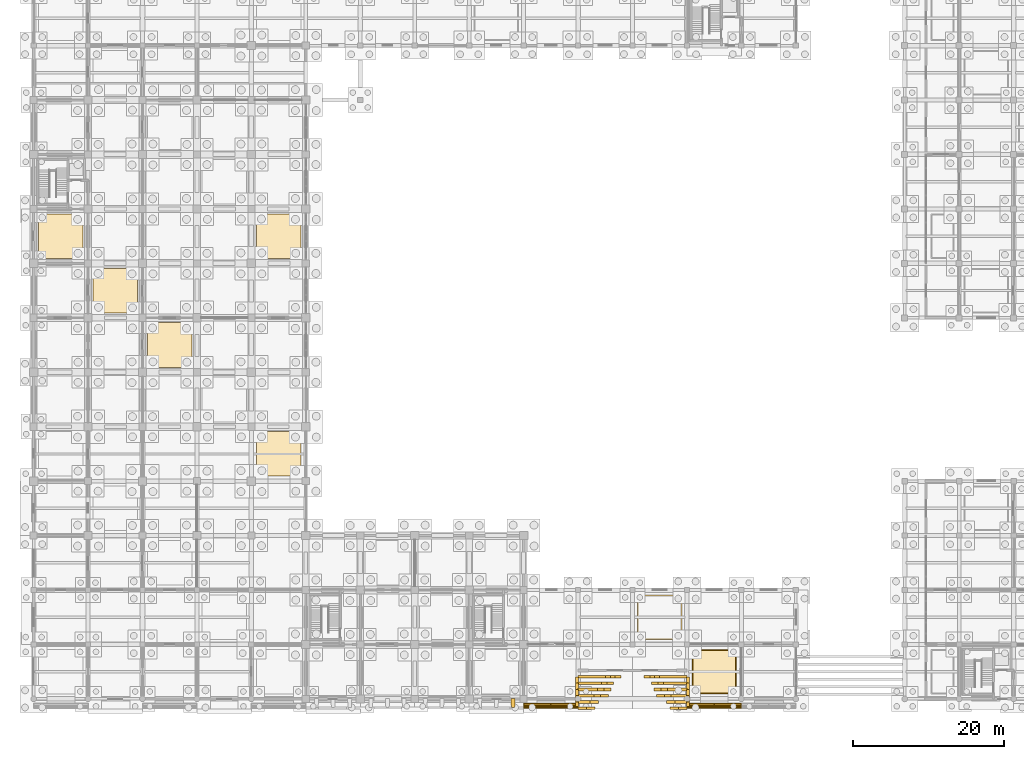
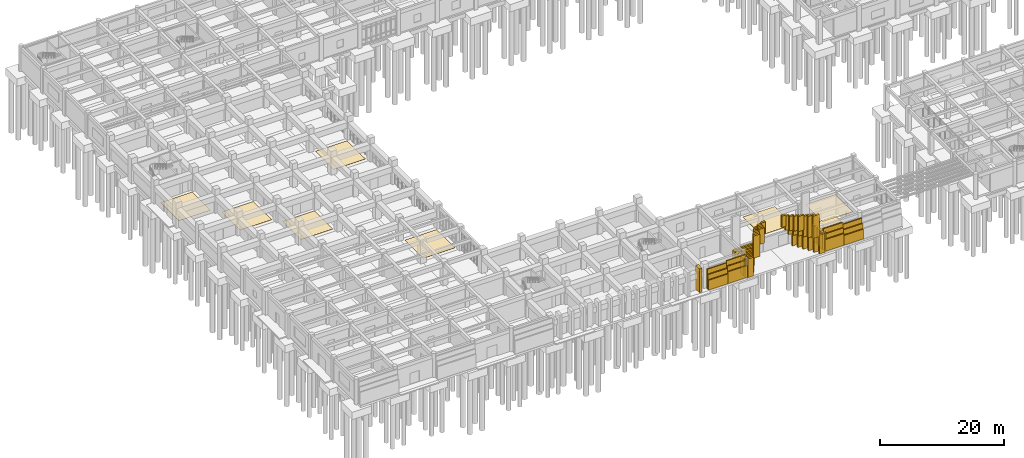
# One storey, part 72 of 79: 65 coverings.
"""IFC4 building model written with IfcOpenShell, lengths in metres."""

from ifc_helpers import new_model, si_unit, direction, frame, origin, place, context, subcontext, project, spatial, polyline, outline, extrude, material, layer, layer_set, type_object, element, save


model = new_model("IFC4")

# Units and contexts
model_context = context("Model", 3, precision=1e-05, world=origin(), true_north=direction((0.0, 1.0)))
body_context = subcontext(model_context, "Body", "Model", "MODEL_VIEW")
ifc_project = project(units=[si_unit("LENGTHUNIT", "METRE"), si_unit("AREAUNIT", "SQUARE_METRE"), si_unit("VOLUMEUNIT", "CUBIC_METRE"), si_unit("PLANEANGLEUNIT", "RADIAN"), si_unit("MASSUNIT", "GRAM", prefix="KILO")], contexts=[model_context])

# Site, building, storey
site_placement = place(None, origin())
site = spatial("IfcSite", under=ifc_project, at=site_placement, CompositionType="ELEMENT")
building_placement = place(site_placement, origin())
building = spatial("IfcBuilding", under=site, at=building_placement, Name="Kavelor Marine Aquarium", CompositionType="ELEMENT")
storey_placement = place(building_placement, origin())
storey = spatial("IfcBuildingStorey", under=building, at=storey_placement, Name="L00", CompositionType="ELEMENT", Elevation=0.0)

# Coverings
ifc_material_1 = material(Name="Concrete C45/55", Category="concrete")
ifc_layer_1 = layer(ifc_material_1, 0.300048828125)
ifc_layer_set_1 = layer_set([ifc_layer_1], Name="COV-BND1")
covering_type_1 = type_object("IfcCoveringType", Name="COV-BND1", PredefinedType="CLADDING", material=ifc_layer_set_1)
covering_1_placement = place(storey_placement, origin())
element("IfcCovering", 1, at=covering_1_placement, inside=storey, type_object=covering_type_1, Name="band:south:1:l:00", PredefinedType="CLADDING", context=body_context, shape_type="SweptSolid", body=[
    extrude(outline(polyline([(68.0, 1.56005859375), (71.60009765625, 1.56005859375), (71.60009765625, 1.780029296875), (68.0, 1.780029296875), (68.0, 1.56005859375)])), origin(), (0.0, 0.0, 1.0), 1.927490234375),
])
covering_2_placement = place(storey_placement, origin())
element("IfcCovering", 2, at=covering_2_placement, inside=storey, type_object=covering_type_1, Name="band:south:1:l:01", PredefinedType="CLADDING", context=body_context, shape_type="SweptSolid", body=[
    extrude(outline(polyline([(71.60009765625, 1.56005859375), (75.199951171875, 1.56005859375), (75.199951171875, 1.780029296875), (71.60009765625, 1.780029296875), (71.60009765625, 1.56005859375)])), origin(), (0.0, 0.0, 1.0), 2.32080078125),
])
covering_3_placement = place(storey_placement, origin())
element("IfcCovering", 3, at=covering_3_placement, inside=storey, type_object=covering_type_1, Name="band:south:1:r:00", PredefinedType="CLADDING", context=body_context, shape_type="SweptSolid", body=[
    extrude(outline(polyline([(89.60009765625, 1.56005859375), (93.199951171875, 1.56005859375), (93.199951171875, 1.780029296875), (89.60009765625, 1.780029296875), (89.60009765625, 1.56005859375)])), origin(), (0.0, 0.0, 1.0), 2.32080078125),
])
covering_4_placement = place(storey_placement, origin())
element("IfcCovering", 4, at=covering_4_placement, inside=storey, type_object=covering_type_1, Name="band:south:1:r:01", PredefinedType="CLADDING", context=body_context, shape_type="SweptSolid", body=[
    extrude(outline(polyline([(93.199951171875, 1.56005859375), (96.800048828125, 1.56005859375), (96.800048828125, 1.780029296875), (93.199951171875, 1.780029296875), (93.199951171875, 1.56005859375)])), origin(), (0.0, 0.0, 1.0), 1.927490234375),
])
covering_5_placement = place(storey_placement, origin())
element("IfcCovering", 5, at=covering_5_placement, inside=storey, type_object=covering_type_1, Name="arch:south:1:pier:l", PredefinedType="CLADDING", context=body_context, shape_type="SweptSolid", body=[
    extrude(outline(polyline([(75.199951171875, 1.389892578125), (76.300048828125, 1.389892578125), (76.300048828125, 1.72998046875), (75.199951171875, 1.72998046875), (75.199951171875, 1.389892578125)])), origin(), (0.0, 0.0, 1.0), 3.699951171875),
])
covering_6_placement = place(storey_placement, origin())
element("IfcCovering", 6, at=covering_6_placement, inside=storey, type_object=covering_type_1, Name="arch:south:1:pier:r", PredefinedType="CLADDING", context=body_context, shape_type="SweptSolid", body=[
    extrude(outline(polyline([(88.5, 1.389892578125), (89.60009765625, 1.389892578125), (89.60009765625, 1.72998046875), (88.5, 1.72998046875), (88.5, 1.389892578125)])), origin(), (0.0, 0.0, 1.0), 3.699951171875),
])
covering_7_placement = place(storey_placement, frame((0.0, 0.0, 3.4697265625)))
element("IfcCovering", 7, at=covering_7_placement, inside=storey, type_object=covering_type_1, Name="arch:south:1:seg:00", PredefinedType="CLADDING", context=body_context, shape_type="SweptSolid", body=[
    extrude(outline(polyline([(76.239990234375, 1.389892578125), (77.468994140625, 1.389892578125), (77.468994140625, 1.72998046875), (76.239990234375, 1.72998046875), (76.239990234375, 1.389892578125)])), origin(), (0.0, 0.0, 1.0), 4.35986328125),
])
covering_8_placement = place(storey_placement, frame((0.0, 0.0, 3.4697265625)))
element("IfcCovering", 8, at=covering_8_placement, inside=storey, type_object=covering_type_1, Name="arch:south:1:seg:10", PredefinedType="CLADDING", context=body_context, shape_type="SweptSolid", body=[
    extrude(outline(polyline([(87.330810546875, 1.389892578125), (88.56005859375, 1.389892578125), (88.56005859375, 1.72998046875), (87.330810546875, 1.72998046875), (87.330810546875, 1.389892578125)])), origin(), (0.0, 0.0, 1.0), 4.35986328125),
])
ifc_material_2 = material(Name="Concrete C45/55", Category="concrete")
ifc_layer_2 = layer(ifc_material_2, 0.320068359375)
ifc_layer_set_2 = layer_set([ifc_layer_2], Name="COV-BND2")
covering_type_2 = type_object("IfcCoveringType", Name="COV-BND2", PredefinedType="CLADDING", material=ifc_layer_set_2)
covering_9_placement = place(storey_placement, origin())
element("IfcCovering", 9, at=covering_9_placement, inside=storey, type_object=covering_type_2, Name="band:south:2:l:00", PredefinedType="CLADDING", context=body_context, shape_type="SweptSolid", body=[
    extrude(outline(polyline([(68.0, 1.77001953125), (71.60009765625, 1.77001953125), (71.60009765625, 1.989990234375), (68.0, 1.989990234375), (68.0, 1.77001953125)])), origin(), (0.0, 0.0, 1.0), 2.8876953125),
])
covering_10_placement = place(storey_placement, origin())
element("IfcCovering", 10, at=covering_10_placement, inside=storey, type_object=covering_type_2, Name="band:south:2:l:01", PredefinedType="CLADDING", context=body_context, shape_type="SweptSolid", body=[
    extrude(outline(polyline([(71.60009765625, 1.77001953125), (75.199951171875, 1.77001953125), (75.199951171875, 1.989990234375), (71.60009765625, 1.989990234375), (71.60009765625, 1.77001953125)])), origin(), (0.0, 0.0, 1.0), 3.28076171875),
])
covering_11_placement = place(storey_placement, origin())
element("IfcCovering", 11, at=covering_11_placement, inside=storey, type_object=covering_type_2, Name="band:south:2:r:00", PredefinedType="CLADDING", context=body_context, shape_type="SweptSolid", body=[
    extrude(outline(polyline([(89.60009765625, 1.77001953125), (93.199951171875, 1.77001953125), (93.199951171875, 1.989990234375), (89.60009765625, 1.989990234375), (89.60009765625, 1.77001953125)])), origin(), (0.0, 0.0, 1.0), 3.28076171875),
])
covering_12_placement = place(storey_placement, origin())
element("IfcCovering", 12, at=covering_12_placement, inside=storey, type_object=covering_type_2, Name="band:south:2:r:01", PredefinedType="CLADDING", context=body_context, shape_type="SweptSolid", body=[
    extrude(outline(polyline([(93.199951171875, 1.77001953125), (96.800048828125, 1.77001953125), (96.800048828125, 1.989990234375), (93.199951171875, 1.989990234375), (93.199951171875, 1.77001953125)])), origin(), (0.0, 0.0, 1.0), 2.8876953125),
])
covering_13_placement = place(storey_placement, origin())
element("IfcCovering", 13, at=covering_13_placement, inside=storey, type_object=covering_type_2, Name="band:south:2:ret:l", PredefinedType="CLADDING", context=body_context, shape_type="SweptSolid", body=[
    extrude(outline(polyline([(74.860107421875, 1.77001953125), (75.239990234375, 1.77001953125), (75.239990234375, 2.389892578125), (74.860107421875, 2.389892578125), (74.860107421875, 1.77001953125)])), origin(), (0.0, 0.0, 1.0), 3.56005859375),
])
covering_14_placement = place(storey_placement, origin())
element("IfcCovering", 14, at=covering_14_placement, inside=storey, type_object=covering_type_2, Name="band:south:2:ret:r", PredefinedType="CLADDING", context=body_context, shape_type="SweptSolid", body=[
    extrude(outline(polyline([(89.56005859375, 1.77001953125), (89.93994140625, 1.77001953125), (89.93994140625, 2.389892578125), (89.56005859375, 2.389892578125), (89.56005859375, 1.77001953125)])), origin(), (0.0, 0.0, 1.0), 3.56005859375),
])
covering_15_placement = place(storey_placement, origin())
element("IfcCovering", 15, at=covering_15_placement, inside=storey, type_object=covering_type_2, Name="arch:south:2:pier:l", PredefinedType="CLADDING", context=body_context, shape_type="SweptSolid", body=[
    extrude(outline(polyline([(75.199951171875, 2.219970703125), (76.820068359375, 2.219970703125), (76.820068359375, 2.56005859375), (75.199951171875, 2.56005859375), (75.199951171875, 2.219970703125)])), origin(), (0.0, 0.0, 1.0), 3.56005859375),
])
covering_16_placement = place(storey_placement, origin())
element("IfcCovering", 16, at=covering_16_placement, inside=storey, type_object=covering_type_2, Name="arch:south:2:pier:r", PredefinedType="CLADDING", context=body_context, shape_type="SweptSolid", body=[
    extrude(outline(polyline([(87.97998046875, 2.219970703125), (89.60009765625, 2.219970703125), (89.60009765625, 2.56005859375), (87.97998046875, 2.56005859375), (87.97998046875, 2.219970703125)])), origin(), (0.0, 0.0, 1.0), 3.56005859375),
])
covering_17_placement = place(storey_placement, frame((0.0, 0.0, 3.267333984375)))
element("IfcCovering", 17, at=covering_17_placement, inside=storey, type_object=covering_type_2, Name="arch:south:2:seg:00", PredefinedType="CLADDING", context=body_context, shape_type="SweptSolid", body=[
    extrude(outline(polyline([(76.760009765625, 2.219970703125), (77.89453125, 2.219970703125), (77.89453125, 2.56005859375), (76.760009765625, 2.56005859375), (76.760009765625, 2.219970703125)])), origin(), (0.0, 0.0, 1.0), 4.182373046875),
])
covering_18_placement = place(storey_placement, frame((0.0, 0.0, 3.267333984375)))
element("IfcCovering", 18, at=covering_18_placement, inside=storey, type_object=covering_type_2, Name="arch:south:2:seg:10", PredefinedType="CLADDING", context=body_context, shape_type="SweptSolid", body=[
    extrude(outline(polyline([(86.905517578125, 2.219970703125), (88.0400390625, 2.219970703125), (88.0400390625, 2.56005859375), (86.905517578125, 2.56005859375), (86.905517578125, 2.219970703125)])), origin(), (0.0, 0.0, 1.0), 4.182373046875),
])
ifc_material_3 = material(Name="Concrete C45/55", Category="concrete")
ifc_layer_3 = layer(ifc_material_3, 0.340087890625)
ifc_layer_set_3 = layer_set([ifc_layer_3], Name="COV-BND3")
covering_type_3 = type_object("IfcCoveringType", Name="COV-BND3", PredefinedType="CLADDING", material=ifc_layer_set_3)
covering_19_placement = place(storey_placement, origin())
element("IfcCovering", 19, at=covering_19_placement, inside=storey, type_object=covering_type_3, Name="band:south:3:l:00", PredefinedType="CLADDING", context=body_context, shape_type="SweptSolid", body=[
    extrude(outline(polyline([(68.0, 1.97998046875), (71.60009765625, 1.97998046875), (71.60009765625, 2.199951171875), (68.0, 2.199951171875), (68.0, 1.97998046875)])), origin(), (0.0, 0.0, 1.0), 3.84765625),
])
covering_20_placement = place(storey_placement, origin())
element("IfcCovering", 20, at=covering_20_placement, inside=storey, type_object=covering_type_3, Name="band:south:3:l:01", PredefinedType="CLADDING", context=body_context, shape_type="SweptSolid", body=[
    extrude(outline(polyline([(71.60009765625, 1.97998046875), (75.199951171875, 1.97998046875), (75.199951171875, 2.199951171875), (71.60009765625, 2.199951171875), (71.60009765625, 1.97998046875)])), origin(), (0.0, 0.0, 1.0), 4.24072265625),
])
covering_21_placement = place(storey_placement, origin())
element("IfcCovering", 21, at=covering_21_placement, inside=storey, type_object=covering_type_3, Name="band:south:3:r:00", PredefinedType="CLADDING", context=body_context, shape_type="SweptSolid", body=[
    extrude(outline(polyline([(89.60009765625, 1.97998046875), (93.199951171875, 1.97998046875), (93.199951171875, 2.199951171875), (89.60009765625, 2.199951171875), (89.60009765625, 1.97998046875)])), origin(), (0.0, 0.0, 1.0), 4.24072265625),
])
covering_22_placement = place(storey_placement, origin())
element("IfcCovering", 22, at=covering_22_placement, inside=storey, type_object=covering_type_3, Name="band:south:3:r:01", PredefinedType="CLADDING", context=body_context, shape_type="SweptSolid", body=[
    extrude(outline(polyline([(93.199951171875, 1.97998046875), (96.800048828125, 1.97998046875), (96.800048828125, 2.199951171875), (93.199951171875, 2.199951171875), (93.199951171875, 1.97998046875)])), origin(), (0.0, 0.0, 1.0), 3.84765625),
])
covering_23_placement = place(storey_placement, origin())
element("IfcCovering", 23, at=covering_23_placement, inside=storey, type_object=covering_type_3, Name="band:south:3:ret:l", PredefinedType="CLADDING", context=body_context, shape_type="SweptSolid", body=[
    extrude(outline(polyline([(74.860107421875, 1.97998046875), (75.239990234375, 1.97998046875), (75.239990234375, 3.219970703125), (74.860107421875, 3.219970703125), (74.860107421875, 1.97998046875)])), origin(), (0.0, 0.0, 1.0), 3.419921875),
])
covering_24_placement = place(storey_placement, origin())
element("IfcCovering", 24, at=covering_24_placement, inside=storey, type_object=covering_type_3, Name="band:south:3:ret:r", PredefinedType="CLADDING", context=body_context, shape_type="SweptSolid", body=[
    extrude(outline(polyline([(89.56005859375, 1.97998046875), (89.93994140625, 1.97998046875), (89.93994140625, 3.219970703125), (89.56005859375, 3.219970703125), (89.56005859375, 1.97998046875)])), origin(), (0.0, 0.0, 1.0), 3.419921875),
])
covering_25_placement = place(storey_placement, origin())
element("IfcCovering", 25, at=covering_25_placement, inside=storey, type_object=covering_type_3, Name="arch:south:3:pier:l", PredefinedType="CLADDING", context=body_context, shape_type="SweptSolid", body=[
    extrude(outline(polyline([(75.199951171875, 3.050048828125), (77.340087890625, 3.050048828125), (77.340087890625, 3.389892578125), (75.199951171875, 3.389892578125), (75.199951171875, 3.050048828125)])), origin(), (0.0, 0.0, 1.0), 3.419921875),
])
covering_26_placement = place(storey_placement, origin())
element("IfcCovering", 26, at=covering_26_placement, inside=storey, type_object=covering_type_3, Name="arch:south:3:pier:r", PredefinedType="CLADDING", context=body_context, shape_type="SweptSolid", body=[
    extrude(outline(polyline([(87.4599609375, 3.050048828125), (89.60009765625, 3.050048828125), (89.60009765625, 3.389892578125), (87.4599609375, 3.389892578125), (87.4599609375, 3.050048828125)])), origin(), (0.0, 0.0, 1.0), 3.419921875),
])
covering_27_placement = place(storey_placement, frame((0.0, 0.0, 3.06494140625)))
element("IfcCovering", 27, at=covering_27_placement, inside=storey, type_object=covering_type_3, Name="arch:south:3:seg:00", PredefinedType="CLADDING", context=body_context, shape_type="SweptSolid", body=[
    extrude(outline(polyline([(77.280029296875, 3.050048828125), (78.320068359375, 3.050048828125), (78.320068359375, 3.389892578125), (77.280029296875, 3.389892578125), (77.280029296875, 3.050048828125)])), origin(), (0.0, 0.0, 1.0), 4.004638671875),
])
covering_28_placement = place(storey_placement, frame((0.0, 0.0, 4.427490234375)))
element("IfcCovering", 28, at=covering_28_placement, inside=storey, type_object=covering_type_3, Name="arch:south:3:seg:01", PredefinedType="CLADDING", context=body_context, shape_type="SweptSolid", body=[
    extrude(outline(polyline([(78.199951171875, 3.050048828125), (79.239990234375, 3.050048828125), (79.239990234375, 3.389892578125), (78.199951171875, 3.389892578125), (78.199951171875, 3.050048828125)])), origin(), (0.0, 0.0, 1.0), 2.984130859375),
])
covering_29_placement = place(storey_placement, frame((0.0, 0.0, 4.427490234375)))
element("IfcCovering", 29, at=covering_29_placement, inside=storey, type_object=covering_type_3, Name="arch:south:3:seg:09", PredefinedType="CLADDING", context=body_context, shape_type="SweptSolid", body=[
    extrude(outline(polyline([(85.56005859375, 3.050048828125), (86.60009765625, 3.050048828125), (86.60009765625, 3.389892578125), (85.56005859375, 3.389892578125), (85.56005859375, 3.050048828125)])), origin(), (0.0, 0.0, 1.0), 2.984130859375),
])
covering_30_placement = place(storey_placement, frame((0.0, 0.0, 3.06494140625)))
element("IfcCovering", 30, at=covering_30_placement, inside=storey, type_object=covering_type_3, Name="arch:south:3:seg:10", PredefinedType="CLADDING", context=body_context, shape_type="SweptSolid", body=[
    extrude(outline(polyline([(86.47998046875, 3.050048828125), (87.52001953125, 3.050048828125), (87.52001953125, 3.389892578125), (86.47998046875, 3.389892578125), (86.47998046875, 3.050048828125)])), origin(), (0.0, 0.0, 1.0), 4.004638671875),
])
ifc_material_4 = material(Name="Concrete C45/55", Category="concrete")
ifc_layer_4 = layer(ifc_material_4, 0.360107421875)
ifc_layer_set_4 = layer_set([ifc_layer_4], Name="COV-BND4")
covering_type_4 = type_object("IfcCoveringType", Name="COV-BND4", PredefinedType="CLADDING", material=ifc_layer_set_4)
covering_31_placement = place(storey_placement, origin())
element("IfcCovering", 31, at=covering_31_placement, inside=storey, type_object=covering_type_4, Name="band:south:4:ret:l", PredefinedType="CLADDING", context=body_context, shape_type="SweptSolid", body=[
    extrude(outline(polyline([(74.860107421875, 2.18994140625), (75.239990234375, 2.18994140625), (75.239990234375, 4.050048828125), (74.860107421875, 4.050048828125), (74.860107421875, 2.18994140625)])), origin(), (0.0, 0.0, 1.0), 3.280029296875),
])
covering_32_placement = place(storey_placement, origin())
element("IfcCovering", 32, at=covering_32_placement, inside=storey, type_object=covering_type_4, Name="band:south:4:ret:r", PredefinedType="CLADDING", context=body_context, shape_type="SweptSolid", body=[
    extrude(outline(polyline([(89.56005859375, 2.18994140625), (89.93994140625, 2.18994140625), (89.93994140625, 4.050048828125), (89.56005859375, 4.050048828125), (89.56005859375, 2.18994140625)])), origin(), (0.0, 0.0, 1.0), 3.280029296875),
])
covering_33_placement = place(storey_placement, origin())
element("IfcCovering", 33, at=covering_33_placement, inside=storey, type_object=covering_type_4, Name="arch:south:4:pier:l", PredefinedType="CLADDING", context=body_context, shape_type="SweptSolid", body=[
    extrude(outline(polyline([(75.199951171875, 3.8798828125), (77.860107421875, 3.8798828125), (77.860107421875, 4.219970703125), (75.199951171875, 4.219970703125), (75.199951171875, 3.8798828125)])), origin(), (0.0, 0.0, 1.0), 3.280029296875),
])
covering_34_placement = place(storey_placement, origin())
element("IfcCovering", 34, at=covering_34_placement, inside=storey, type_object=covering_type_4, Name="arch:south:4:pier:r", PredefinedType="CLADDING", context=body_context, shape_type="SweptSolid", body=[
    extrude(outline(polyline([(86.93994140625, 3.8798828125), (89.60009765625, 3.8798828125), (89.60009765625, 4.219970703125), (86.93994140625, 4.219970703125), (86.93994140625, 3.8798828125)])), origin(), (0.0, 0.0, 1.0), 3.280029296875),
])
covering_35_placement = place(storey_placement, frame((0.0, 0.0, 2.8623046875)))
element("IfcCovering", 35, at=covering_35_placement, inside=storey, type_object=covering_type_4, Name="arch:south:4:seg:00", PredefinedType="CLADDING", context=body_context, shape_type="SweptSolid", body=[
    extrude(outline(polyline([(77.800048828125, 3.8798828125), (78.74560546875, 3.8798828125), (78.74560546875, 4.219970703125), (77.800048828125, 4.219970703125), (77.800048828125, 3.8798828125)])), origin(), (0.0, 0.0, 1.0), 3.827392578125),
])
covering_36_placement = place(storey_placement, frame((0.0, 0.0, 4.117919921875)))
element("IfcCovering", 36, at=covering_36_placement, inside=storey, type_object=covering_type_4, Name="arch:south:4:seg:01", PredefinedType="CLADDING", context=body_context, shape_type="SweptSolid", body=[
    extrude(outline(polyline([(78.62548828125, 3.8798828125), (79.57080078125, 3.8798828125), (79.57080078125, 4.219970703125), (78.62548828125, 4.219970703125), (78.62548828125, 3.8798828125)])), origin(), (0.0, 0.0, 1.0), 2.913818359375),
])
covering_37_placement = place(storey_placement, frame((0.0, 0.0, 4.117919921875)))
element("IfcCovering", 37, at=covering_37_placement, inside=storey, type_object=covering_type_4, Name="arch:south:4:seg:09", PredefinedType="CLADDING", context=body_context, shape_type="SweptSolid", body=[
    extrude(outline(polyline([(85.22900390625, 3.8798828125), (86.174560546875, 3.8798828125), (86.174560546875, 4.219970703125), (85.22900390625, 4.219970703125), (85.22900390625, 3.8798828125)])), origin(), (0.0, 0.0, 1.0), 2.913818359375),
])
covering_38_placement = place(storey_placement, frame((0.0, 0.0, 2.8623046875)))
element("IfcCovering", 38, at=covering_38_placement, inside=storey, type_object=covering_type_4, Name="arch:south:4:seg:10", PredefinedType="CLADDING", context=body_context, shape_type="SweptSolid", body=[
    extrude(outline(polyline([(86.054443359375, 3.8798828125), (87.0, 3.8798828125), (87.0, 4.219970703125), (86.054443359375, 4.219970703125), (86.054443359375, 3.8798828125)])), origin(), (0.0, 0.0, 1.0), 3.827392578125),
])
ifc_material_5 = material(Name="Concrete C45/55", Category="concrete")
ifc_layer_5 = layer(ifc_material_5, 0.3798828125)
ifc_layer_set_5 = layer_set([ifc_layer_5], Name="COV-BND5")
covering_type_5 = type_object("IfcCoveringType", Name="COV-BND5", PredefinedType="CLADDING", material=ifc_layer_set_5)
covering_39_placement = place(storey_placement, origin())
element("IfcCovering", 39, at=covering_39_placement, inside=storey, type_object=covering_type_5, Name="band:south:5:ret:l", PredefinedType="CLADDING", context=body_context, shape_type="SweptSolid", body=[
    extrude(outline(polyline([(74.860107421875, 2.39990234375), (75.239990234375, 2.39990234375), (75.239990234375, 4.8798828125), (74.860107421875, 4.8798828125), (74.860107421875, 2.39990234375)])), origin(), (0.0, 0.0, 1.0), 3.139892578125),
])
covering_40_placement = place(storey_placement, origin())
element("IfcCovering", 40, at=covering_40_placement, inside=storey, type_object=covering_type_5, Name="band:south:5:ret:r", PredefinedType="CLADDING", context=body_context, shape_type="SweptSolid", body=[
    extrude(outline(polyline([(89.56005859375, 2.39990234375), (89.93994140625, 2.39990234375), (89.93994140625, 4.8798828125), (89.56005859375, 4.8798828125), (89.56005859375, 2.39990234375)])), origin(), (0.0, 0.0, 1.0), 3.139892578125),
])
covering_41_placement = place(storey_placement, origin())
element("IfcCovering", 41, at=covering_41_placement, inside=storey, type_object=covering_type_5, Name="arch:south:5:pier:l", PredefinedType="CLADDING", context=body_context, shape_type="SweptSolid", body=[
    extrude(outline(polyline([(75.199951171875, 4.7099609375), (78.3798828125, 4.7099609375), (78.3798828125, 5.050048828125), (75.199951171875, 5.050048828125), (75.199951171875, 4.7099609375)])), origin(), (0.0, 0.0, 1.0), 3.139892578125),
])
covering_42_placement = place(storey_placement, origin())
element("IfcCovering", 42, at=covering_42_placement, inside=storey, type_object=covering_type_5, Name="arch:south:5:pier:r", PredefinedType="CLADDING", context=body_context, shape_type="SweptSolid", body=[
    extrude(outline(polyline([(86.419921875, 4.7099609375), (89.60009765625, 4.7099609375), (89.60009765625, 5.050048828125), (86.419921875, 5.050048828125), (86.419921875, 4.7099609375)])), origin(), (0.0, 0.0, 1.0), 3.139892578125),
])
covering_43_placement = place(storey_placement, frame((0.0, 0.0, 2.659912109375)))
element("IfcCovering", 43, at=covering_43_placement, inside=storey, type_object=covering_type_5, Name="arch:south:5:seg:00", PredefinedType="CLADDING", context=body_context, shape_type="SweptSolid", body=[
    extrude(outline(polyline([(78.320068359375, 4.7099609375), (79.1708984375, 4.7099609375), (79.1708984375, 5.050048828125), (78.320068359375, 5.050048828125), (78.320068359375, 4.7099609375)])), origin(), (0.0, 0.0, 1.0), 3.649658203125),
])
covering_44_placement = place(storey_placement, frame((0.0, 0.0, 3.808349609375)))
element("IfcCovering", 44, at=covering_44_placement, inside=storey, type_object=covering_type_5, Name="arch:south:5:seg:01", PredefinedType="CLADDING", context=body_context, shape_type="SweptSolid", body=[
    extrude(outline(polyline([(79.05078125, 4.7099609375), (79.90185546875, 4.7099609375), (79.90185546875, 5.050048828125), (79.05078125, 5.050048828125), (79.05078125, 4.7099609375)])), origin(), (0.0, 0.0, 1.0), 2.84326171875),
])
covering_45_placement = place(storey_placement, frame((0.0, 0.0, 3.808349609375)))
element("IfcCovering", 45, at=covering_45_placement, inside=storey, type_object=covering_type_5, Name="arch:south:5:seg:09", PredefinedType="CLADDING", context=body_context, shape_type="SweptSolid", body=[
    extrude(outline(polyline([(84.898193359375, 4.7099609375), (85.7490234375, 4.7099609375), (85.7490234375, 5.050048828125), (84.898193359375, 5.050048828125), (84.898193359375, 4.7099609375)])), origin(), (0.0, 0.0, 1.0), 2.84326171875),
])
covering_46_placement = place(storey_placement, frame((0.0, 0.0, 2.659912109375)))
element("IfcCovering", 46, at=covering_46_placement, inside=storey, type_object=covering_type_5, Name="arch:south:5:seg:10", PredefinedType="CLADDING", context=body_context, shape_type="SweptSolid", body=[
    extrude(outline(polyline([(85.629150390625, 4.7099609375), (86.47998046875, 4.7099609375), (86.47998046875, 5.050048828125), (85.629150390625, 5.050048828125), (85.629150390625, 4.7099609375)])), origin(), (0.0, 0.0, 1.0), 3.649658203125),
])
ifc_material_6 = material(Name="Concrete C45/55", Category="concrete")
ifc_layer_6 = layer(ifc_material_6, 0.39990234375)
ifc_layer_set_6 = layer_set([ifc_layer_6], Name="COV-BND6")
covering_type_6 = type_object("IfcCoveringType", Name="COV-BND6", PredefinedType="CLADDING", material=ifc_layer_set_6)
covering_47_placement = place(storey_placement, origin())
element("IfcCovering", 47, at=covering_47_placement, inside=storey, type_object=covering_type_6, Name="band:south:6:ret:l", PredefinedType="CLADDING", context=body_context, shape_type="SweptSolid", body=[
    extrude(outline(polyline([(74.860107421875, 2.610107421875), (75.239990234375, 2.610107421875), (75.239990234375, 5.7099609375), (74.860107421875, 5.7099609375), (74.860107421875, 2.610107421875)])), origin(), (0.0, 0.0, 1.0), 3.0),
])
covering_48_placement = place(storey_placement, origin())
element("IfcCovering", 48, at=covering_48_placement, inside=storey, type_object=covering_type_6, Name="band:south:6:ret:r", PredefinedType="CLADDING", context=body_context, shape_type="SweptSolid", body=[
    extrude(outline(polyline([(89.56005859375, 2.610107421875), (89.93994140625, 2.610107421875), (89.93994140625, 5.7099609375), (89.56005859375, 5.7099609375), (89.56005859375, 2.610107421875)])), origin(), (0.0, 0.0, 1.0), 3.0),
])
covering_49_placement = place(storey_placement, origin())
element("IfcCovering", 49, at=covering_49_placement, inside=storey, type_object=covering_type_6, Name="arch:south:6:pier:l", PredefinedType="CLADDING", context=body_context, shape_type="SweptSolid", body=[
    extrude(outline(polyline([(75.199951171875, 5.5400390625), (78.89990234375, 5.5400390625), (78.89990234375, 5.8798828125), (75.199951171875, 5.8798828125), (75.199951171875, 5.5400390625)])), origin(), (0.0, 0.0, 1.0), 3.0),
])
covering_50_placement = place(storey_placement, origin())
element("IfcCovering", 50, at=covering_50_placement, inside=storey, type_object=covering_type_6, Name="arch:south:6:pier:r", PredefinedType="CLADDING", context=body_context, shape_type="SweptSolid", body=[
    extrude(outline(polyline([(85.89990234375, 5.5400390625), (89.60009765625, 5.5400390625), (89.60009765625, 5.8798828125), (85.89990234375, 5.8798828125), (85.89990234375, 5.5400390625)])), origin(), (0.0, 0.0, 1.0), 3.0),
])
covering_51_placement = place(storey_placement, frame((0.0, 0.0, 2.45751953125)))
element("IfcCovering", 51, at=covering_51_placement, inside=storey, type_object=covering_type_6, Name="arch:south:6:seg:00", PredefinedType="CLADDING", context=body_context, shape_type="SweptSolid", body=[
    extrude(outline(polyline([(78.840087890625, 5.5400390625), (79.596435546875, 5.5400390625), (79.596435546875, 5.8798828125), (78.840087890625, 5.8798828125), (78.840087890625, 5.5400390625)])), origin(), (0.0, 0.0, 1.0), 3.47216796875),
])
covering_52_placement = place(storey_placement, frame((0.0, 0.0, 3.498779296875)))
element("IfcCovering", 52, at=covering_52_placement, inside=storey, type_object=covering_type_6, Name="arch:south:6:seg:01", PredefinedType="CLADDING", context=body_context, shape_type="SweptSolid", body=[
    extrude(outline(polyline([(79.476318359375, 5.5400390625), (80.232666015625, 5.5400390625), (80.232666015625, 5.8798828125), (79.476318359375, 5.8798828125), (79.476318359375, 5.5400390625)])), origin(), (0.0, 0.0, 1.0), 2.77294921875),
])
covering_53_placement = place(storey_placement, frame((0.0, 0.0, 4.30859375)))
element("IfcCovering", 53, at=covering_53_placement, inside=storey, type_object=covering_type_6, Name="arch:south:6:seg:02", PredefinedType="CLADDING", context=body_context, shape_type="SweptSolid", body=[
    extrude(outline(polyline([(80.11279296875, 5.5400390625), (80.869140625, 5.5400390625), (80.869140625, 5.8798828125), (80.11279296875, 5.8798828125), (80.11279296875, 5.5400390625)])), origin(), (0.0, 0.0, 1.0), 2.229248046875),
])
covering_54_placement = place(storey_placement, frame((0.0, 0.0, 4.30859375)))
element("IfcCovering", 54, at=covering_54_placement, inside=storey, type_object=covering_type_6, Name="arch:south:6:seg:08", PredefinedType="CLADDING", context=body_context, shape_type="SweptSolid", body=[
    extrude(outline(polyline([(83.930908203125, 5.5400390625), (84.687255859375, 5.5400390625), (84.687255859375, 5.8798828125), (83.930908203125, 5.8798828125), (83.930908203125, 5.5400390625)])), origin(), (0.0, 0.0, 1.0), 2.229248046875),
])
covering_55_placement = place(storey_placement, frame((0.0, 0.0, 3.498779296875)))
element("IfcCovering", 55, at=covering_55_placement, inside=storey, type_object=covering_type_6, Name="arch:south:6:seg:09", PredefinedType="CLADDING", context=body_context, shape_type="SweptSolid", body=[
    extrude(outline(polyline([(84.5673828125, 5.5400390625), (85.323486328125, 5.5400390625), (85.323486328125, 5.8798828125), (84.5673828125, 5.8798828125), (84.5673828125, 5.5400390625)])), origin(), (0.0, 0.0, 1.0), 2.77294921875),
])
covering_56_placement = place(storey_placement, frame((0.0, 0.0, 2.45751953125)))
element("IfcCovering", 56, at=covering_56_placement, inside=storey, type_object=covering_type_6, Name="arch:south:6:seg:10", PredefinedType="CLADDING", context=body_context, shape_type="SweptSolid", body=[
    extrude(outline(polyline([(85.20361328125, 5.5400390625), (85.9599609375, 5.5400390625), (85.9599609375, 5.8798828125), (85.20361328125, 5.8798828125), (85.20361328125, 5.5400390625)])), origin(), (0.0, 0.0, 1.0), 3.47216796875),
])
ifc_material_7 = material(Name="Moisture-Resistant Acoustic Mineral-Fibre Ceiling")
ifc_layer_7 = layer(ifc_material_7, 0.0400390625)
ifc_layer_set_7 = layer_set([ifc_layer_7], Name="COV-CE1")
covering_type_7 = type_object("IfcCoveringType", Name="COV-CE1", PredefinedType="CEILING", material=ifc_layer_set_7)
covering_57_placement = place(storey_placement, frame((0.0, 0.0, 4.340087890625)))
element("IfcCovering", 57, at=covering_57_placement, inside=storey, type_object=covering_type_7, Name="ceil:L00:12_00", PredefinedType="CEILING", context=body_context, shape_type="SweptSolid", body=[
    extrude(outline(polyline([(90.39990234375, 3.60009765625), (96.0, 3.60009765625), (96.0, 9.199951171875), (90.39990234375, 9.199951171875), (90.39990234375, 3.60009765625)])), origin(), (0.0, 0.0, 1.0), 0.039794921875),
])
ifc_material_8 = material(Name="Polished Coastal Terrazzo Flooring")
ifc_layer_8 = layer(ifc_material_8, 0.030029296875)
ifc_layer_set_8 = layer_set([ifc_layer_8], Name="COV-FL1")
covering_type_8 = type_object("IfcCoveringType", Name="COV-FL1", PredefinedType="FLOORING", material=ifc_layer_set_8)
covering_58_placement = place(storey_placement, origin())
element("IfcCovering", 58, at=covering_58_placement, inside=storey, type_object=covering_type_8, Name="flr:L00:00_08", PredefinedType="FLOORING", context=body_context, shape_type="SweptSolid", body=[
    extrude(outline(polyline([(3.85009765625, 61.050048828125), (9.75, 61.050048828125), (9.75, 66.949951171875), (3.85009765625, 66.949951171875), (3.85009765625, 61.050048828125)])), origin(), (0.0, 0.0, 1.0), 0.030029296875),
])
covering_59_placement = place(storey_placement, origin())
element("IfcCovering", 59, at=covering_59_placement, inside=storey, type_object=covering_type_8, Name="flr:L00:01_07", PredefinedType="FLOORING", context=body_context, shape_type="SweptSolid", body=[
    extrude(outline(polyline([(11.050048828125, 53.85009765625), (16.949951171875, 53.85009765625), (16.949951171875, 59.75), (11.050048828125, 59.75), (11.050048828125, 53.85009765625)])), origin(), (0.0, 0.0, 1.0), 0.030029296875),
])
covering_60_placement = place(storey_placement, origin())
element("IfcCovering", 60, at=covering_60_placement, inside=storey, type_object=covering_type_8, Name="flr:L00:02_06", PredefinedType="FLOORING", context=body_context, shape_type="SweptSolid", body=[
    extrude(outline(polyline([(18.25, 46.64990234375), (24.14990234375, 46.64990234375), (24.14990234375, 52.550048828125), (18.25, 52.550048828125), (18.25, 46.64990234375)])), origin(), (0.0, 0.0, 1.0), 0.030029296875),
])
covering_61_placement = place(storey_placement, origin())
element("IfcCovering", 61, at=covering_61_placement, inside=storey, type_object=covering_type_8, Name="flr:L00:04_04", PredefinedType="FLOORING", context=body_context, shape_type="SweptSolid", body=[
    extrude(outline(polyline([(32.64990234375, 32.25), (38.550048828125, 32.25), (38.550048828125, 38.14990234375), (32.64990234375, 38.14990234375), (32.64990234375, 32.25)])), origin(), (0.0, 0.0, 1.0), 0.030029296875),
])
covering_62_placement = place(storey_placement, origin())
element("IfcCovering", 62, at=covering_62_placement, inside=storey, type_object=covering_type_8, Name="flr:L00:04_08", PredefinedType="FLOORING", context=body_context, shape_type="SweptSolid", body=[
    extrude(outline(polyline([(32.64990234375, 61.050048828125), (38.550048828125, 61.050048828125), (38.550048828125, 66.949951171875), (32.64990234375, 66.949951171875), (32.64990234375, 61.050048828125)])), origin(), (0.0, 0.0, 1.0), 0.030029296875),
])
covering_63_placement = place(storey_placement, origin())
element("IfcCovering", 63, at=covering_63_placement, inside=storey, type_object=covering_type_8, Name="flr:L00:11_01", PredefinedType="FLOORING", context=body_context, shape_type="SweptSolid", body=[
    extrude(outline(polyline([(83.050048828125, 10.64990234375), (88.949951171875, 10.64990234375), (88.949951171875, 16.550048828125), (83.050048828125, 16.550048828125), (83.050048828125, 10.64990234375)])), origin(), (0.0, 0.0, 1.0), 0.030029296875),
])
covering_64_placement = place(storey_placement, origin())
element("IfcCovering", 64, at=covering_64_placement, inside=storey, type_object=covering_type_8, Name="flr:L00:12_00", PredefinedType="FLOORING", context=body_context, shape_type="SweptSolid", body=[
    extrude(outline(polyline([(90.25, 3.449951171875), (96.14990234375, 3.449951171875), (96.14990234375, 9.35009765625), (90.25, 9.35009765625), (90.25, 3.449951171875)])), origin(), (0.0, 0.0, 1.0), 0.030029296875),
])
ifc_material_9 = material(Name="Sculptural Board-Marked Concrete C45/55 Bastion Rib", Category="concrete")
ifc_layer_9 = layer(ifc_material_9, 0.360107421875)
ifc_layer_set_9 = layer_set([ifc_layer_9], Name="COV-RB1")
covering_type_9 = type_object("IfcCoveringType", Name="COV-RB1", PredefinedType="CLADDING", material=ifc_layer_set_9)
covering_65_placement = place(storey_placement, origin())
element("IfcCovering", 65, at=covering_65_placement, inside=storey, type_object=covering_type_9, Name="bastion:rib:L00:08:2", PredefinedType="CLADDING", context=body_context, shape_type="SweptSolid", body=[
    extrude(outline(polyline([(66.3798828125, 1.639892578125), (66.820068359375, 1.639892578125), (66.8798828125, 2.85009765625), (66.320068359375, 2.85009765625), (66.3798828125, 1.639892578125)])), origin(), (0.0, 0.0, 1.0), 4.679931640625),
])

save(model, "model.ifc")
